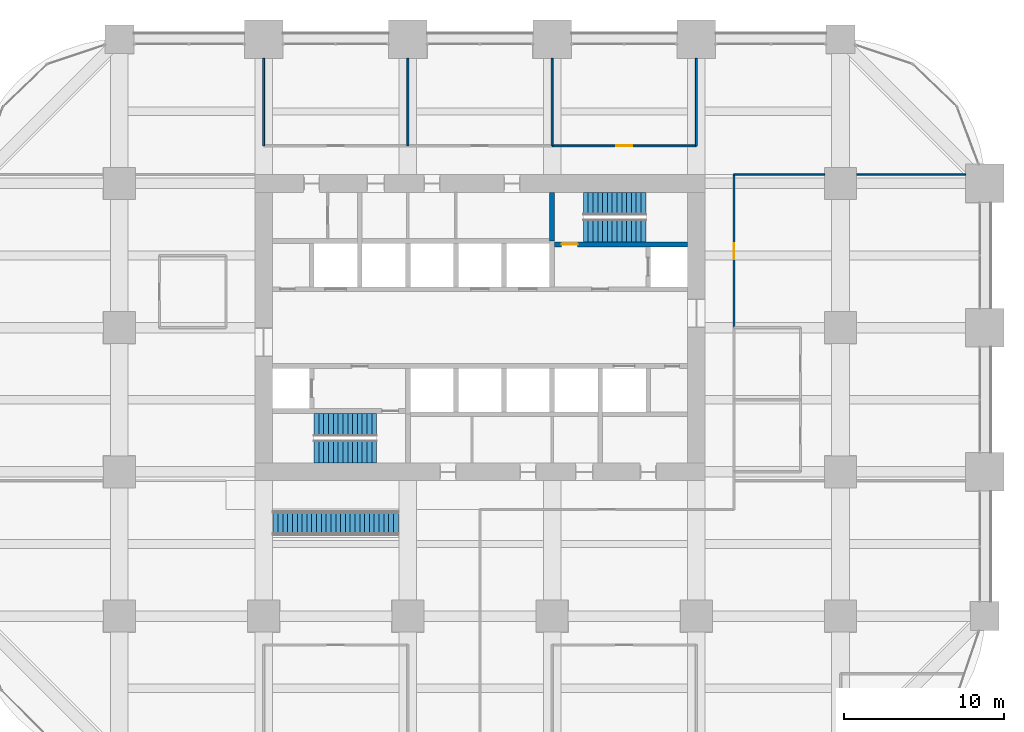
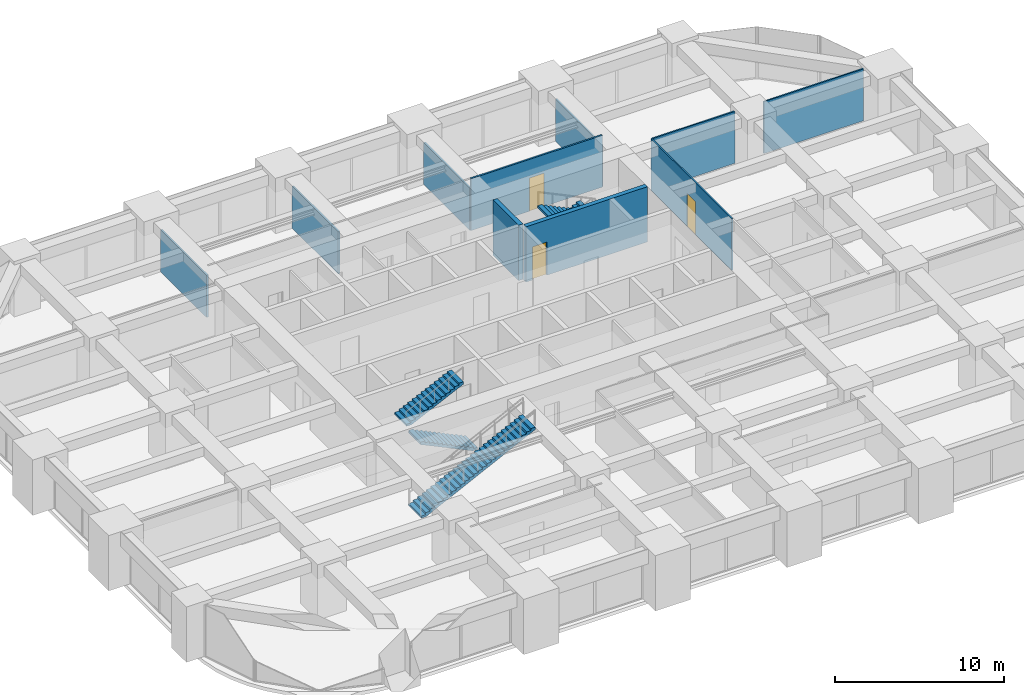
# One storey, part 38 of 39: 10 walls, 5 stair flights, 3 doors, 3 openings, 3 elements without a shape of their own.
"""IFC4 building model written with IfcOpenShell, lengths in metres."""

from ifc_helpers import new_model, si_unit, direction, frame, frame_2d, origin, place, context, subcontext, project, spatial, polyline, rectangle, outline, extrude, material, layer, layer_set, constituent, constituent_set, type_object, element, fill, aggregate, save


model = new_model("IFC4")

# Units and contexts
model_context = context("Model", 3, precision=1e-05, world=origin(), true_north=direction((0.0, 1.0)))
body_context = subcontext(model_context, "Body", "Model", "MODEL_VIEW")
ifc_project = project(units=[si_unit("LENGTHUNIT", "METRE"), si_unit("AREAUNIT", "SQUARE_METRE"), si_unit("VOLUMEUNIT", "CUBIC_METRE"), si_unit("PLANEANGLEUNIT", "RADIAN"), si_unit("MASSUNIT", "GRAM", prefix="KILO")], contexts=[model_context])

# Site, building, storey
site_placement = place(None, origin())
site = spatial("IfcSite", under=ifc_project, at=site_placement, CompositionType="ELEMENT")
building_placement = place(site_placement, origin())
building = spatial("IfcBuilding", under=site, at=building_placement, Name="Zorevar Civic Tower", CompositionType="ELEMENT")
storey_placement = place(building_placement, frame((0.0, 0.0, 117.0)))
storey = spatial("IfcBuildingStorey", under=building, at=storey_placement, Name="L28", CompositionType="ELEMENT", Elevation=117.0)

# Walls
ifc_material_1 = material(Name="Laminated glass in black aluminium frame", Category="aluminium")
ifc_layer_1 = layer(ifc_material_1, 0.10009765625)
ifc_layer_set_1 = layer_set([ifc_layer_1], Name="Glazed partition 100")
wall_type_1 = type_object("IfcWallType", Name="Glazed partition 100", PredefinedType="PARTITIONING", material=ifc_layer_set_1)
wall_1_placement = place(storey_placement, frame((47.35009765625, 36.550048828125, 0.0), z_axis=(0.0, 0.0, 1.0), x_axis=(1.0, 0.0, 0.0)))
element("IfcWall", 1, at=wall_1_placement, inside=storey, type_object=wall_type_1, Name="Glazed partition 100 L28", PredefinedType="PARTITIONING", context=body_context, shape_type="SweptSolid", body=[
    extrude(rectangle(XDim=5.64990234375, YDim=0.10009765625, at=frame_2d((2.824951171875, 0.0))), origin(), (0.0, 0.0, 1.0), 3.75),
])
wall_2_placement = place(storey_placement, frame((55.0, 36.550048828125, 0.0), z_axis=(0.0, 0.0, 1.0), x_axis=(1.0, 0.0, 0.0)))
element("IfcWall", 2, at=wall_2_placement, inside=storey, type_object=wall_type_1, Name="Glazed partition 100 L28", PredefinedType="PARTITIONING", context=body_context, shape_type="SweptSolid", body=[
    extrude(rectangle(XDim=6.800048828125, YDim=0.10009765625, at=frame_2d((3.39990234375, 0.0))), origin(), (0.0, 0.0, 1.0), 3.75),
])

# Wall, opening, door
wall_3_placement = place(storey_placement, frame((47.35009765625, 27.0, 0.0), z_axis=(0.0, 0.0, 1.0), x_axis=(0.0, 1.0, 0.0)))
wall_3 = element("IfcWall", 3, at=wall_3_placement, inside=storey, type_object=wall_type_1, Name="Glazed partition 100 L28", PredefinedType="PARTITIONING", context=body_context, shape_type="SweptSolid", body=[
    extrude(rectangle(XDim=9.550048828125, YDim=0.10009765625, at=frame_2d((4.77490234375, 0.0))), origin(), (0.0, 0.0, 1.0), 3.75),
])
opening_1_placement = place(wall_3_placement, frame((4.27490234375, 0.0, 0.0)))
opening_1 = element("IfcOpeningElement", 4, at=opening_1_placement, cuts=wall_3, Name="Opening L28.24", PredefinedType="OPENING", context=body_context, shape_type="SweptSolid", body=[
    extrude(rectangle(XDim=1.0, YDim=2.39990234375, at=frame_2d((0.5, 1.199951171875))), frame((0.0, 0.06005859375, 0.0), z_axis=(0.0, -1.0, 0.0), x_axis=(1.0, 0.0, 0.0)), (0.0, 0.0, 1.0), 0.1201171875),
])
ifc_material_2 = material(Name="Timber door set", Category="wood")
door_type_1 = type_object("IfcDoorType", Name="Glazed door GD1 1000x2400", OperationType="SINGLE_SWING_LEFT", PredefinedType="DOOR", material=ifc_material_2)
door_1_placement = place(opening_1_placement, origin())
door_1 = element("IfcDoor", 5, at=door_1_placement, inside=storey, type_object=door_type_1, Name="Door L28 D1", OperationType="SINGLE_SWING_LEFT", OverallHeight=2.39990234375, OverallWidth=1.0, PredefinedType="DOOR", context=body_context, shape_type="SweptSolid", body=[
    extrude(rectangle(XDim=1.0, YDim=2.39990234375, at=frame_2d((0.5, 1.199951171875))), frame((0.0, 0.02001953125, 0.0), z_axis=(0.0, -1.0, 0.0), x_axis=(1.0, 0.0, 0.0)), (0.0, 0.0, 1.0), 0.0400390625),
])
fill(opening_1, door_1)

ifc_material_3 = material(Name="Concrete C40/50", Category="concrete")
ifc_layer_2 = layer(ifc_material_3, 0.300048828125)
ifc_layer_set_2 = layer_set([ifc_layer_2], Name="Inner core wall 300")
wall_type_2 = type_object("IfcWallType", Name="Inner core wall 300", PredefinedType="SHEAR", material=ifc_layer_set_2)
wall_4_placement = place(storey_placement, frame((36.14990234375, 32.199951171875, 0.0), z_axis=(0.0, 0.0, 1.0), x_axis=(1.0, 0.0, 0.0)))
wall_4 = element("IfcWall", 6, at=wall_4_placement, inside=storey, type_object=wall_type_2, Name="Inner core wall N00 L28", PredefinedType="SHEAR", context=body_context, shape_type="SweptSolid", body=[
    extrude(rectangle(XDim=8.300048828125, YDim=0.300048828125, at=frame_2d((4.14990234375, 0.0))), origin(), (0.0, 0.0, 1.0), 4.0),
])
opening_2_placement = place(wall_4_placement, frame((0.449951171875, 0.0, 0.0)))
opening_2 = element("IfcOpeningElement", 7, at=opening_2_placement, cuts=wall_4, Name="Opening L28.12", PredefinedType="OPENING", context=body_context, shape_type="SweptSolid", body=[
    extrude(rectangle(XDim=1.0, YDim=2.39990234375, at=frame_2d((0.5, 1.199951171875))), frame((0.0, 0.159912109375, 0.0), z_axis=(0.0, -1.0, 0.0), x_axis=(1.0, 0.0, 0.0)), (0.0, 0.0, 1.0), 0.320068359375),
])
ifc_material_4 = material(Name="Steel door set", Category="steel")
door_type_2 = type_object("IfcDoorType", Name="Fire door FD1 1000x2400", OperationType="SINGLE_SWING_LEFT", PredefinedType="DOOR", material=ifc_material_4)
door_2_placement = place(opening_2_placement, origin())
door_2 = element("IfcDoor", 8, at=door_2_placement, inside=storey, type_object=door_type_2, Name="Door L28 11", OperationType="SINGLE_SWING_RIGHT", OverallHeight=2.39990234375, OverallWidth=1.0, PredefinedType="DOOR", context=body_context, shape_type="SweptSolid", body=[
    extrude(rectangle(XDim=1.0, YDim=2.39990234375, at=frame_2d((0.5, 1.199951171875))), frame((0.0, 0.030029296875, 0.0), z_axis=(0.0, -1.0, 0.0), x_axis=(1.0, 0.0, 0.0)), (0.0, 0.0, 1.0), 0.06005859375),
])
fill(opening_2, door_2)

# Wall
wall_5_placement = place(storey_placement, frame((36.0, 32.39990234375, 0.0), z_axis=(0.0, 0.0, 1.0), x_axis=(0.0, 1.0, 0.0)))
element("IfcWall", 9, at=wall_5_placement, inside=storey, type_object=wall_type_2, Name="Inner core wall N01 L28", PredefinedType="SHEAR", context=body_context, shape_type="SweptSolid", body=[
    extrude(rectangle(XDim=3.050048828125, YDim=0.300048828125, at=frame_2d((1.52490234375, 0.0))), origin(), (0.0, 0.0, 1.0), 4.0),
])

# Wall, opening, door
ifc_material_5 = material(Name="Gypsum board on steel studs", Category="steel")
ifc_layer_3 = layer(ifc_material_5, 0.1201171875)
ifc_layer_set_3 = layer_set([ifc_layer_3], Name="Partition 120")
wall_type_3 = type_object("IfcWallType", Name="Partition 120", PredefinedType="PARTITIONING", material=ifc_layer_set_3)
wall_6_placement = place(storey_placement, frame((36.0, 38.35009765625, 0.0), z_axis=(0.0, 0.0, 1.0), x_axis=(1.0, 0.0, 0.0)))
wall_6 = element("IfcWall", 10, at=wall_6_placement, inside=storey, type_object=wall_type_3, Name="Partition 120 L28", PredefinedType="PARTITIONING", context=body_context, shape_type="SweptSolid", body=[
    extrude(rectangle(XDim=9.0, YDim=0.1201171875, at=frame_2d((4.5, 0.0))), origin(), (0.0, 0.0, 1.0), 3.75),
])
opening_3_placement = place(wall_6_placement, frame((4.0, 0.0, 0.0)))
opening_3 = element("IfcOpeningElement", 11, at=opening_3_placement, cuts=wall_6, Name="Opening L28.22", PredefinedType="OPENING", context=body_context, shape_type="SweptSolid", body=[
    extrude(rectangle(XDim=1.0, YDim=2.39990234375, at=frame_2d((0.5, 1.199951171875))), frame((0.0, 0.070068359375, 0.0), z_axis=(0.0, -1.0, 0.0), x_axis=(1.0, 0.0, 0.0)), (0.0, 0.0, 1.0), 0.14013671875),
])
ifc_material_6 = material(Name="Timber door set", Category="wood")
door_type_3 = type_object("IfcDoorType", Name="Door D1 1000x2400", OperationType="SINGLE_SWING_LEFT", PredefinedType="DOOR", material=ifc_material_6)
door_3_placement = place(opening_3_placement, origin())
door_3 = element("IfcDoor", 12, at=door_3_placement, inside=storey, type_object=door_type_3, Name="Door L28 D1", OperationType="SINGLE_SWING_RIGHT", OverallHeight=2.39990234375, OverallWidth=1.0, PredefinedType="DOOR", context=body_context, shape_type="SweptSolid", body=[
    extrude(rectangle(XDim=1.0, YDim=2.39990234375, at=frame_2d((0.5, 1.199951171875))), frame((0.0, 0.02490234375, 0.0), z_axis=(0.0, -1.0, 0.0), x_axis=(1.0, 0.0, 0.0)), (0.0, 0.0, 1.0), 0.050048828125),
])
fill(opening_3, door_3)

# Walls
for number, where, z_axis, x_axis, name in (
    (13, (18.0, 38.35009765625, 0.0), (0.0, 0.0, 1.0), (0.0, 1.0, 0.0), "Partition 120 L28"),
    (14, (27.0, 38.35009765625, 0.0), (0.0, 0.0, 1.0), (0.0, 1.0, 0.0), "Partition 120 L28"),
    (15, (36.0, 38.35009765625, 0.0), (0.0, 0.0, 1.0), (0.0, 1.0, 0.0), "Partition 120 L28"),
    (16, (45.0, 38.35009765625, 0.0), (0.0, 0.0, 1.0), (0.0, 1.0, 0.0), "Partition 120 L28"),
):
    element("IfcWall", number, at=place(storey_placement, frame(where, z_axis=z_axis, x_axis=x_axis)), inside=storey, type_object=wall_type_3, Name=name, PredefinedType="PARTITIONING", context=body_context, shape_type="SweptSolid", body=[
        extrude(rectangle(XDim=5.449951171875, YDim=0.1201171875, at=frame_2d((2.72509765625, 0.0))), origin(), (0.0, 0.0, 1.0), 3.050048828125),
    ])

# Stair, stair flight
ifc_material_7 = material(Name="Steel S355", Category="steel")
ifc_constituent_1 = constituent(ifc_material_7, Name="Structure")
ifc_material_8 = material(Name="Stone treads", Category="masonry")
ifc_constituent_2 = constituent(ifc_material_8, Name="Finish")
ifc_constituent_set_1 = constituent_set(constituents=[ifc_constituent_1, ifc_constituent_2], Name="Steel S355")
stair_type_1 = type_object("IfcStairType", Name="Interconnecting stair IS1", PredefinedType="STRAIGHT_RUN_STAIR", material=ifc_constituent_set_1)
stair_1_placement = place(storey_placement, origin())
stair_1 = element("IfcStair", 17, at=stair_1_placement, inside=storey, type_object=stair_type_1, Name="Interconnecting stair IS1 L28 to L29", PredefinedType="STRAIGHT_RUN_STAIR")
ifc_material_9 = material(Name="Steel S355", Category="steel")
ifc_constituent_3 = constituent(ifc_material_9, Name="Structure")
ifc_material_10 = material(Name="Stone treads", Category="masonry")
ifc_constituent_4 = constituent(ifc_material_10, Name="Finish")
ifc_constituent_set_2 = constituent_set(constituents=[ifc_constituent_3, ifc_constituent_4], Name="Steel S355")
stair_flight_type_1 = type_object("IfcStairFlightType", Name="Interconnecting stair flight", PredefinedType="STRAIGHT", material=ifc_constituent_set_2)
stair_flight_1_placement = place(storey_placement, frame((18.60009765625, 14.800048828125, 0.0), z_axis=(0.0, 0.0, 1.0), x_axis=(1.0, 0.0, 0.0)))
stair_flight_1 = element("IfcStairFlight", 18, at=stair_flight_1_placement, type_object=stair_flight_type_1, Name="IS1 flight 1", NumberOfRisers=27, NumberOfTreads=26, PredefinedType="STRAIGHT", RiserHeight=0.148148148, TreadLength=0.3, context=body_context, shape_type="SweptSolid", body=[
    extrude(outline(polyline([(0.0, 0.0), (0.0, 0.148193359375), (0.300048828125, 0.148193359375), (0.300048828125, 0.29638671875), (0.60009765625, 0.29638671875), (0.60009765625, 0.4443359375), (0.89990234375, 0.4443359375), (0.89990234375, 0.592529296875), (1.199951171875, 0.592529296875), (1.199951171875, 0.74072265625), (1.5, 0.74072265625), (1.5, 0.888916015625), (1.800048828125, 0.888916015625), (1.800048828125, 1.037109375), (2.10009765625, 1.037109375), (2.10009765625, 1.185302734375), (2.39990234375, 1.185302734375), (2.39990234375, 1.333251953125), (2.699951171875, 1.333251953125), (2.699951171875, 1.4814453125), (3.0, 1.4814453125), (3.0, 1.629638671875), (3.300048828125, 1.629638671875), (3.300048828125, 1.77783203125), (3.60009765625, 1.77783203125), (3.60009765625, 1.926025390625), (3.89990234375, 1.926025390625), (3.89990234375, 2.073974609375), (4.199951171875, 2.073974609375), (4.199951171875, 2.22216796875), (4.5, 2.22216796875), (4.5, 2.370361328125), (4.800048828125, 2.370361328125), (4.800048828125, 2.5185546875), (5.10009765625, 2.5185546875), (5.10009765625, 2.666748046875), (5.39990234375, 2.666748046875), (5.39990234375, 2.814697265625), (5.699951171875, 2.814697265625), (5.699951171875, 2.962890625), (6.0, 2.962890625), (6.0, 3.111083984375), (6.300048828125, 3.111083984375), (6.300048828125, 3.25927734375), (6.60009765625, 3.25927734375), (6.60009765625, 3.407470703125), (6.89990234375, 3.407470703125), (6.89990234375, 3.5556640625), (7.199951171875, 3.5556640625), (7.199951171875, 3.70361328125), (7.5, 3.70361328125), (7.5, 3.851806640625), (7.800048828125, 3.851806640625), (7.800048828125, 4.0), (7.800048828125, 3.6845703125), (0.338623046875, 0.0), (0.0, 0.0)])), frame((0.0, 0.75, 0.0), z_axis=(0.0, -1.0, 0.0), x_axis=(1.0, 0.0, 0.0)), (0.0, 0.0, 1.0), 1.5),
])
aggregate(stair_1, [stair_flight_1])

# Stair, stair flights
ifc_material_11 = material(Name="Precast concrete C40/50", Category="concrete")
stair_type_2 = type_object("IfcStairType", Name="Stair ST 28R", PredefinedType="HALF_TURN_STAIR", material=ifc_material_11)
stair_2_placement = place(storey_placement, origin())
stair_2 = element("IfcStair", 19, at=stair_2_placement, inside=storey, type_object=stair_type_2, Name="Stair ST1 L28", PredefinedType="HALF_TURN_STAIR")
ifc_material_12 = material(Name="Precast concrete C40/50", Category="concrete")
stair_flight_type_2 = type_object("IfcStairFlightType", Name="Stair flight", PredefinedType="STRAIGHT", material=ifc_material_12)
stair_flight_2_placement = place(storey_placement, frame((25.050048828125, 19.262451171875, 0.0), z_axis=(0.0, 0.0, 1.0), x_axis=(-1.0, 0.0, 0.0)))
stair_flight_2 = element("IfcStairFlight", 20, at=stair_flight_2_placement, type_object=stair_flight_type_2, Name="ST1 flight 1", NumberOfRisers=14, NumberOfTreads=13, PredefinedType="STRAIGHT", RiserHeight=0.142857143, TreadLength=0.3, context=body_context, shape_type="SweptSolid", body=[
    extrude(outline(polyline([(0.0, 0.0), (0.0, 0.142822265625), (0.300048828125, 0.142822265625), (0.300048828125, 0.28564453125), (0.60009765625, 0.28564453125), (0.60009765625, 0.428466796875), (0.89990234375, 0.428466796875), (0.89990234375, 0.571533203125), (1.199951171875, 0.571533203125), (1.199951171875, 0.71435546875), (1.5, 0.71435546875), (1.5, 0.857177734375), (1.800048828125, 0.857177734375), (1.800048828125, 1.0), (2.10009765625, 1.0), (2.10009765625, 1.142822265625), (2.39990234375, 1.142822265625), (2.39990234375, 1.28564453125), (2.699951171875, 1.28564453125), (2.699951171875, 1.428466796875), (3.0, 1.428466796875), (3.0, 1.571533203125), (3.300048828125, 1.571533203125), (3.300048828125, 1.71435546875), (3.60009765625, 1.71435546875), (3.60009765625, 1.857177734375), (3.89990234375, 1.857177734375), (3.89990234375, 2.0), (3.89990234375, 1.691162109375), (0.3486328125, 0.0), (0.0, 0.0)])), frame((0.0, 0.71240234375, 0.0), z_axis=(0.0, -1.0, 0.0), x_axis=(1.0, 0.0, 0.0)), (0.0, 0.0, 1.0), 1.425048828125),
])
stair_flight_3_placement = place(storey_placement, frame((21.14990234375, 20.9375, 2.0), z_axis=(0.0, 0.0, 1.0), x_axis=(1.0, 0.0, 0.0)))
stair_flight_3 = element("IfcStairFlight", 21, at=stair_flight_3_placement, type_object=stair_flight_type_2, Name="ST1 flight 2", NumberOfRisers=14, NumberOfTreads=13, PredefinedType="STRAIGHT", RiserHeight=0.142857143, TreadLength=0.3, context=body_context, shape_type="SweptSolid", body=[
    extrude(outline(polyline([(0.0, 0.0), (0.0, 0.142822265625), (0.300048828125, 0.142822265625), (0.300048828125, 0.28564453125), (0.60009765625, 0.28564453125), (0.60009765625, 0.428466796875), (0.89990234375, 0.428466796875), (0.89990234375, 0.571533203125), (1.199951171875, 0.571533203125), (1.199951171875, 0.71435546875), (1.5, 0.71435546875), (1.5, 0.857177734375), (1.800048828125, 0.857177734375), (1.800048828125, 1.0), (2.10009765625, 1.0), (2.10009765625, 1.142822265625), (2.39990234375, 1.142822265625), (2.39990234375, 1.28564453125), (2.699951171875, 1.28564453125), (2.699951171875, 1.428466796875), (3.0, 1.428466796875), (3.0, 1.571533203125), (3.300048828125, 1.571533203125), (3.300048828125, 1.71435546875), (3.60009765625, 1.71435546875), (3.60009765625, 1.857177734375), (3.89990234375, 1.857177734375), (3.89990234375, 2.0), (3.89990234375, 1.691162109375), (0.3486328125, 0.0), (0.0, 0.0)])), frame((0.0, 0.71240234375, 0.0), z_axis=(0.0, -1.0, 0.0), x_axis=(1.0, 0.0, 0.0)), (0.0, 0.0, 1.0), 1.425048828125),
])
aggregate(stair_2, [stair_flight_2, stair_flight_3])

stair_3_placement = place(storey_placement, origin())
stair_3 = element("IfcStair", 22, at=stair_3_placement, inside=storey, type_object=stair_type_2, Name="Stair ST2 L28", PredefinedType="HALF_TURN_STAIR")
stair_flight_4_placement = place(storey_placement, frame((37.949951171875, 34.737548828125, 0.0), z_axis=(0.0, 0.0, 1.0), x_axis=(1.0, 0.0, 0.0)))
stair_flight_4 = element("IfcStairFlight", 23, at=stair_flight_4_placement, type_object=stair_flight_type_2, Name="ST2 flight 1", NumberOfRisers=14, NumberOfTreads=13, PredefinedType="STRAIGHT", RiserHeight=0.142857143, TreadLength=0.3, context=body_context, shape_type="SweptSolid", body=[
    extrude(outline(polyline([(0.0, 0.0), (0.0, 0.142822265625), (0.300048828125, 0.142822265625), (0.300048828125, 0.28564453125), (0.60009765625, 0.28564453125), (0.60009765625, 0.428466796875), (0.89990234375, 0.428466796875), (0.89990234375, 0.571533203125), (1.199951171875, 0.571533203125), (1.199951171875, 0.71435546875), (1.5, 0.71435546875), (1.5, 0.857177734375), (1.800048828125, 0.857177734375), (1.800048828125, 1.0), (2.10009765625, 1.0), (2.10009765625, 1.142822265625), (2.39990234375, 1.142822265625), (2.39990234375, 1.28564453125), (2.699951171875, 1.28564453125), (2.699951171875, 1.428466796875), (3.0, 1.428466796875), (3.0, 1.571533203125), (3.300048828125, 1.571533203125), (3.300048828125, 1.71435546875), (3.60009765625, 1.71435546875), (3.60009765625, 1.857177734375), (3.89990234375, 1.857177734375), (3.89990234375, 2.0), (3.89990234375, 1.691162109375), (0.3486328125, 0.0), (0.0, 0.0)])), frame((0.0, 0.71240234375, 0.0), z_axis=(0.0, -1.0, 0.0), x_axis=(1.0, 0.0, 0.0)), (0.0, 0.0, 1.0), 1.425048828125),
])
stair_flight_5_placement = place(storey_placement, frame((41.85009765625, 33.0625, 2.0), z_axis=(0.0, 0.0, 1.0), x_axis=(-1.0, 0.0, 0.0)))
stair_flight_5 = element("IfcStairFlight", 24, at=stair_flight_5_placement, type_object=stair_flight_type_2, Name="ST2 flight 2", NumberOfRisers=14, NumberOfTreads=13, PredefinedType="STRAIGHT", RiserHeight=0.142857143, TreadLength=0.3, context=body_context, shape_type="SweptSolid", body=[
    extrude(outline(polyline([(0.0, 0.0), (0.0, 0.142822265625), (0.300048828125, 0.142822265625), (0.300048828125, 0.28564453125), (0.60009765625, 0.28564453125), (0.60009765625, 0.428466796875), (0.89990234375, 0.428466796875), (0.89990234375, 0.571533203125), (1.199951171875, 0.571533203125), (1.199951171875, 0.71435546875), (1.5, 0.71435546875), (1.5, 0.857177734375), (1.800048828125, 0.857177734375), (1.800048828125, 1.0), (2.10009765625, 1.0), (2.10009765625, 1.142822265625), (2.39990234375, 1.142822265625), (2.39990234375, 1.28564453125), (2.699951171875, 1.28564453125), (2.699951171875, 1.428466796875), (3.0, 1.428466796875), (3.0, 1.571533203125), (3.300048828125, 1.571533203125), (3.300048828125, 1.71435546875), (3.60009765625, 1.71435546875), (3.60009765625, 1.857177734375), (3.89990234375, 1.857177734375), (3.89990234375, 2.0), (3.89990234375, 1.691162109375), (0.3486328125, 0.0), (0.0, 0.0)])), frame((0.0, 0.71240234375, 0.0), z_axis=(0.0, -1.0, 0.0), x_axis=(1.0, 0.0, 0.0)), (0.0, 0.0, 1.0), 1.425048828125),
])
aggregate(stair_3, [stair_flight_4, stair_flight_5])

save(model, "model.ifc")
